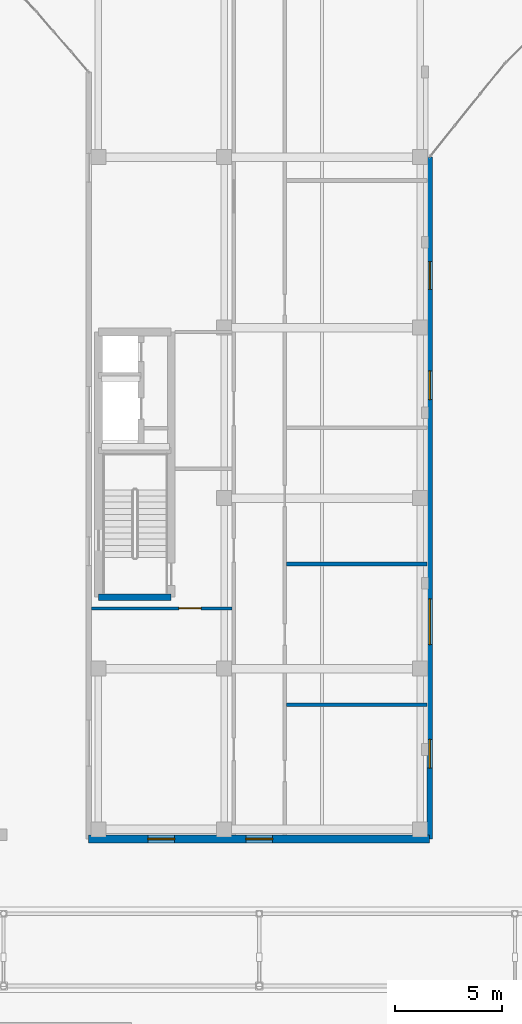
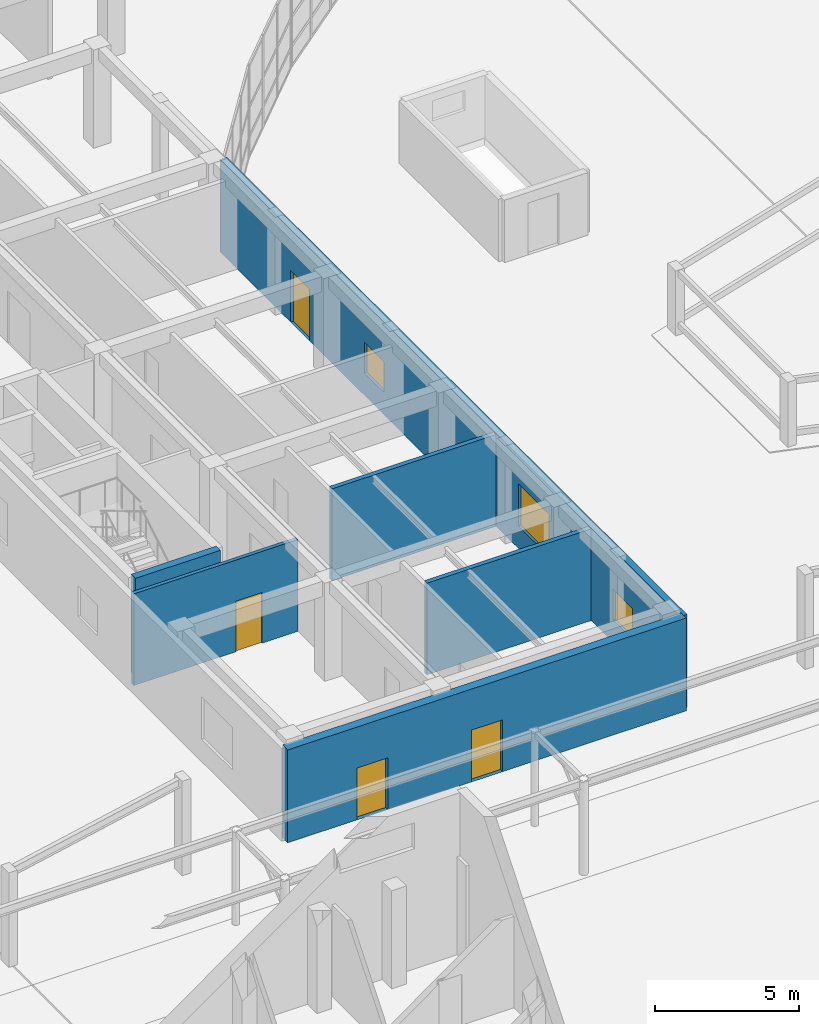
# One storey, part 78 of 114: 6 walls, 4 doors, 3 windows, 7 openings.
"""IFC4 building model written with IfcOpenShell, lengths in metres."""

from ifc_helpers import new_model, si_unit, direction, frame, frame_2d, origin, place, context, subcontext, project, spatial, rectangle, extrude, material, layer, layer_set, type_object, element, fill, save


model = new_model("IFC4")

# Units and contexts
model_context = context("Model", 3, precision=1e-05, world=origin(), true_north=direction((0.0, 1.0)))
body_context = subcontext(model_context, "Body", "Model", "MODEL_VIEW")
ifc_project = project(units=[si_unit("LENGTHUNIT", "METRE"), si_unit("AREAUNIT", "SQUARE_METRE"), si_unit("VOLUMEUNIT", "CUBIC_METRE"), si_unit("PLANEANGLEUNIT", "RADIAN"), si_unit("MASSUNIT", "GRAM", prefix="KILO")], contexts=[model_context])

# Site, building, storey
site_placement = place(None, origin())
site = spatial("IfcSite", under=ifc_project, at=site_placement, CompositionType="ELEMENT")
building_placement = place(site_placement, origin())
building = spatial("IfcBuilding", under=site, at=building_placement, Name="Keldmere Railside Commons", CompositionType="ELEMENT")
storey_placement = place(building_placement, origin())
storey = spatial("IfcBuildingStorey", under=building, at=storey_placement, Name="L00", CompositionType="ELEMENT", Elevation=0.0)

# Walls
ifc_material_1 = material(Name="Acoustic Gypsum Board Partition", Category="gypsum")
ifc_layer_1 = layer(ifc_material_1, 0.179931640625, Name="Acoustic Demising Partition 180")
ifc_layer_set_1 = layer_set([ifc_layer_1], Name="Acoustic Gypsum Board Partition")
wall_type_1 = type_object("IfcWallType", Name="Acoustic Demising Partition 180", PredefinedType="PARTITIONING", material=ifc_layer_set_1)
for number, where, z_axis, x_axis, name in (
    (1, (113.280029296875, 62.300048828125, 0.0), (0.0, 0.0, 1.0), (1.0, 0.0, 0.0), "IW-1 IW-L00-0909"),
    (2, (113.280029296875, 68.89990234375, 0.0), (0.0, 0.0, 1.0), (1.0, 0.0, 0.0), "IW-1 IW-L00-0910"),
):
    element("IfcWall", number, at=place(storey_placement, frame(where, z_axis=z_axis, x_axis=x_axis)), inside=storey, type_object=wall_type_1, Name=name, PredefinedType="PARTITIONING", context=body_context, shape_type="SweptSolid", body=[
        extrude(rectangle(XDim=6.590087890625, YDim=0.179931640625, at=frame_2d((3.294921875, 0.0))), origin(), (0.0, 0.0, 1.0), 3.89501953125),
    ])

# Wall, openings, doors
ifc_material_2 = material(Name="Concrete H-35 (C35/45)", Category="concrete")
ifc_layer_2 = layer(ifc_material_2, 0.360107421875, Name="Exterior Shear Wall 360")
ifc_layer_set_2 = layer_set([ifc_layer_2], Name="Concrete H-35 (C35/45)")
wall_type_2 = type_object("IfcWallType", Name="Exterior Shear Wall 360", PredefinedType="SHEAR", material=ifc_layer_set_2)
wall_1_placement = place(storey_placement, frame((120.0, 56.0, 0.0), z_axis=(0.0, 0.0, 1.0), x_axis=(-1.0, 0.0, 0.0)))
wall_1 = element("IfcWall", 3, at=wall_1_placement, inside=storey, type_object=wall_type_2, Name="ESW-1 EXTB-L00-0576", PredefinedType="SHEAR", context=body_context, shape_type="SweptSolid", body=[
    extrude(rectangle(XDim=16.0, YDim=0.360107421875, at=frame_2d((8.0, 0.0))), origin(), (0.0, 0.0, 1.0), 3.93994140625),
])
opening_1_placement = place(wall_1_placement, frame((7.375, 0.0, 0.0)))
opening_1 = element("IfcOpeningElement", 4, at=opening_1_placement, cuts=wall_1, Name="Opening ED-02", PredefinedType="OPENING", context=body_context, shape_type="SweptSolid", body=[
    extrude(rectangle(XDim=1.25, YDim=2.199951171875, at=frame_2d((0.625, 1.10009765625))), frame((0.0, 0.18994140625, 0.0), z_axis=(0.0, -1.0, 0.0), x_axis=(1.0, 0.0, 0.0)), (0.0, 0.0, 1.0), 0.380126953125),
])
opening_2_placement = place(wall_1_placement, frame((11.97509765625, 0.0, 0.0)))
opening_2 = element("IfcOpeningElement", 5, at=opening_2_placement, cuts=wall_1, Name="Opening ED-02", PredefinedType="OPENING", context=body_context, shape_type="SweptSolid", body=[
    extrude(rectangle(XDim=1.25, YDim=2.199951171875, at=frame_2d((0.625, 1.10009765625))), frame((0.0, 0.18994140625, 0.0), z_axis=(0.0, -1.0, 0.0), x_axis=(1.0, 0.0, 0.0)), (0.0, 0.0, 1.0), 0.380126953125),
])
ifc_material_3 = material(Name="Steel F-24 (S235)", Category="steel")
door_type_1 = type_object("IfcDoorType", Name="Stair Final Escape Exit Door 1250x2200", OperationType="NOTDEFINED", PredefinedType="DOOR", material=ifc_material_3)
door_1_placement = place(opening_1_placement, origin())
door_1 = element("IfcDoor", 6, at=door_1_placement, inside=storey, type_object=door_type_1, Name="ED-02 DR-L00-0123", OperationType="SINGLE_SWING_LEFT", OverallHeight=2.199951171875, OverallWidth=1.25, PredefinedType="DOOR", context=body_context, shape_type="SweptSolid", body=[
    extrude(rectangle(XDim=1.25, YDim=2.199951171875, at=frame_2d((0.625, 1.10009765625))), frame((0.0, 0.02490234375, 0.0), z_axis=(0.0, -1.0, 0.0), x_axis=(1.0, 0.0, 0.0)), (0.0, 0.0, 1.0), 0.050048828125),
])
fill(opening_1, door_1)
door_2_placement = place(opening_2_placement, origin())
door_2 = element("IfcDoor", 7, at=door_2_placement, inside=storey, type_object=door_type_1, Name="ED-02 DR-L00-0124", OperationType="SINGLE_SWING_RIGHT", OverallHeight=2.199951171875, OverallWidth=1.25, PredefinedType="DOOR", context=body_context, shape_type="SweptSolid", body=[
    extrude(rectangle(XDim=1.25, YDim=2.199951171875, at=frame_2d((0.625, 1.10009765625))), frame((0.0, 0.02490234375, 0.0), z_axis=(0.0, -1.0, 0.0), x_axis=(1.0, 0.0, 0.0)), (0.0, 0.0, 1.0), 0.050048828125),
])
fill(opening_2, door_2)

# Wall
ifc_layer_3 = layer(ifc_material_2, 0.300048828125, Name="Interior Shear Wall 300")
ifc_layer_set_3 = layer_set([ifc_layer_3], Name="Concrete H-35 (C35/45)")
wall_type_3 = type_object("IfcWallType", Name="Interior Shear Wall 300", PredefinedType="SHEAR", material=ifc_layer_set_3)
wall_2_placement = place(storey_placement, frame((107.8701171875, 67.35009765625, 0.0), z_axis=(0.0, 0.0, 1.0), x_axis=(-1.0, 0.0, 0.0)))
element("IfcWall", 8, at=wall_2_placement, inside=storey, type_object=wall_type_3, Name="ISW-2 COREBS-L00-0435", PredefinedType="SHEAR", context=body_context, shape_type="SweptSolid", body=[
    extrude(rectangle(XDim=3.41015625, YDim=0.300048828125, at=frame_2d((1.705078125, 0.0))), origin(), (0.0, 0.0, 1.0), 4.159912109375),
])

# Wall, opening, door
ifc_layer_4 = layer(ifc_material_1, 0.14990234375, Name="Lobby Rated Partition 150")
ifc_layer_set_4 = layer_set([ifc_layer_4], Name="Acoustic Gypsum Board Partition")
wall_type_4 = type_object("IfcWallType", Name="Lobby Rated Partition 150", PredefinedType="PARTITIONING", material=ifc_layer_set_4)
wall_3_placement = place(storey_placement, frame((104.1298828125, 66.820068359375, 0.0), z_axis=(0.0, 0.0, 1.0), x_axis=(1.0, 0.0, 0.0)))
wall_3 = element("IfcWall", 9, at=wall_3_placement, inside=storey, type_object=wall_type_4, Name="IW-3 IW-L00-0897", PredefinedType="PARTITIONING", context=body_context, shape_type="SweptSolid", body=[
    extrude(rectangle(XDim=6.590087890625, YDim=0.14990234375, at=frame_2d((3.294921875, 0.0))), origin(), (0.0, 0.0, 1.0), 3.89501953125),
])
opening_3_placement = place(wall_3_placement, frame((4.10009765625, 0.0, 0.0)))
opening_3 = element("IfcOpeningElement", 10, at=opening_3_placement, cuts=wall_3, Name="Opening FD-1", PredefinedType="OPENING", context=body_context, shape_type="SweptSolid", body=[
    extrude(rectangle(XDim=1.050048828125, YDim=2.14990234375, at=frame_2d((0.52490234375, 1.074951171875))), frame((0.0, 0.0849609375, 0.0), z_axis=(0.0, -1.0, 0.0), x_axis=(1.0, 0.0, 0.0)), (0.0, 0.0, 1.0), 0.169921875),
])
door_type_2 = type_object("IfcDoorType", Name="Stair Core Fire Door 1050x2150", OperationType="NOTDEFINED", PredefinedType="DOOR", material=ifc_material_3)
door_3_placement = place(opening_3_placement, origin())
door_3 = element("IfcDoor", 11, at=door_3_placement, inside=storey, type_object=door_type_2, Name="FD-1 IDR-L00-0782", OperationType="SINGLE_SWING_RIGHT", OverallHeight=2.14990234375, OverallWidth=1.050048828125, PredefinedType="DOOR", context=body_context, shape_type="SweptSolid", body=[
    extrude(rectangle(XDim=1.050048828125, YDim=2.14990234375, at=frame_2d((0.52490234375, 1.074951171875))), frame((0.0, 0.02490234375, 0.0), z_axis=(0.0, -1.0, 0.0), x_axis=(1.0, 0.0, 0.0)), (0.0, 0.0, 1.0), 0.050048828125),
])
fill(opening_3, door_3)

# Wall, openings, windows, door
ifc_material_4 = material(Name="Terracotta Brick Masonry", Category="masonry")
ifc_layer_5 = layer(ifc_material_4, 0.260009765625, Name="Terracotta Cavity Wall 260")
ifc_layer_set_5 = layer_set([ifc_layer_5], Name="Terracotta Brick Masonry")
wall_type_5 = type_object("IfcWallType", Name="Terracotta Cavity Wall 260", PredefinedType="SOLIDWALL", material=ifc_layer_set_5)
wall_4_placement = place(storey_placement, frame((120.0, 88.0, 0.0), z_axis=(0.0, 0.0, 1.0), x_axis=(0.0, -1.0, 0.0)))
wall_4 = element("IfcWall", 12, at=wall_4_placement, inside=storey, type_object=wall_type_5, Name="EW-1 EXTB-L00-0577", PredefinedType="SOLIDWALL", context=body_context, shape_type="SweptSolid", body=[
    extrude(rectangle(XDim=32.0, YDim=0.260009765625, at=frame_2d((16.0, 0.0))), origin(), (0.0, 0.0, 1.0), 3.93994140625),
])
opening_4_placement = place(wall_4_placement, frame((4.89990234375, 0.0, 0.0)))
opening_4 = element("IfcOpeningElement", 13, at=opening_4_placement, cuts=wall_4, Name="Opening BD-04", PredefinedType="OPENING", context=body_context, shape_type="SweptSolid", body=[
    extrude(rectangle(XDim=1.300048828125, YDim=2.199951171875, at=frame_2d((0.64990234375, 1.10009765625))), frame((0.0, 0.139892578125, 0.0), z_axis=(0.0, -1.0, 0.0), x_axis=(1.0, 0.0, 0.0)), (0.0, 0.0, 1.0), 0.280029296875),
])
opening_5_placement = place(wall_4_placement, frame((10.02490234375, 0.0, 0.949951171875)))
opening_5 = element("IfcOpeningElement", 14, at=opening_5_placement, cuts=wall_4, Name="Opening WN-25", PredefinedType="OPENING", context=body_context, shape_type="SweptSolid", body=[
    extrude(rectangle(XDim=1.35009765625, YDim=1.300048828125, at=frame_2d((0.675048828125, 0.64990234375))), frame((0.0, 0.139892578125, 0.0), z_axis=(0.0, -1.0, 0.0), x_axis=(1.0, 0.0, 0.0)), (0.0, 0.0, 1.0), 0.280029296875),
])
opening_6_placement = place(wall_4_placement, frame((20.72509765625, 0.0, 0.949951171875)))
opening_6 = element("IfcOpeningElement", 15, at=opening_6_placement, cuts=wall_4, Name="Opening WN-41", PredefinedType="OPENING", context=body_context, shape_type="SweptSolid", body=[
    extrude(rectangle(XDim=2.14990234375, YDim=1.800048828125, at=frame_2d((1.074951171875, 0.89990234375))), frame((0.0, 0.139892578125, 0.0), z_axis=(0.0, -1.0, 0.0), x_axis=(1.0, 0.0, 0.0)), (0.0, 0.0, 1.0), 0.280029296875),
])
opening_7_placement = place(wall_4_placement, frame((27.324951171875, 0.0, 0.949951171875)))
opening_7 = element("IfcOpeningElement", 16, at=opening_7_placement, cuts=wall_4, Name="Opening WN-25", PredefinedType="OPENING", context=body_context, shape_type="SweptSolid", body=[
    extrude(rectangle(XDim=1.35009765625, YDim=1.300048828125, at=frame_2d((0.675048828125, 0.64990234375))), frame((0.0, 0.139892578125, 0.0), z_axis=(0.0, -1.0, 0.0), x_axis=(1.0, 0.0, 0.0)), (0.0, 0.0, 1.0), 0.280029296875),
])
ifc_material_5 = material(Name="Low-E Insulated Double Glazing", Category="glass")
window_type_1 = type_object("IfcWindowType", Name="North Plinth Gallery Window 2150x1800", PartitioningType="SINGLE_PANEL", PredefinedType="WINDOW", material=ifc_material_5)
window_1_placement = place(opening_6_placement, origin())
window_1 = element("IfcWindow", 17, at=window_1_placement, inside=storey, type_object=window_type_1, Name="WN-41 WIN-L00-0350", OverallHeight=1.800048828125, OverallWidth=2.14990234375, PartitioningType="SINGLE_PANEL", PredefinedType="WINDOW", context=body_context, shape_type="SweptSolid", body=[
    extrude(rectangle(XDim=2.14990234375, YDim=1.800048828125, at=frame_2d((1.074951171875, 0.89990234375))), frame((0.0, 0.030029296875, 0.0), z_axis=(0.0, -1.0, 0.0), x_axis=(1.0, 0.0, 0.0)), (0.0, 0.0, 1.0), 0.06005859375),
])
fill(opening_6, window_1)
window_type_2 = type_object("IfcWindowType", Name="Podium Laundry & Mailroom Window 1350x1300", PartitioningType="SINGLE_PANEL", PredefinedType="WINDOW", material=ifc_material_5)
window_2_placement = place(opening_5_placement, origin())
window_2 = element("IfcWindow", 18, at=window_2_placement, inside=storey, type_object=window_type_2, Name="WN-25 WIN-L00-0349", OverallHeight=1.300048828125, OverallWidth=1.35009765625, PartitioningType="SINGLE_PANEL", PredefinedType="WINDOW", context=body_context, shape_type="SweptSolid", body=[
    extrude(rectangle(XDim=1.35009765625, YDim=1.300048828125, at=frame_2d((0.675048828125, 0.64990234375))), frame((0.0, 0.030029296875, 0.0), z_axis=(0.0, -1.0, 0.0), x_axis=(1.0, 0.0, 0.0)), (0.0, 0.0, 1.0), 0.06005859375),
])
fill(opening_5, window_2)
window_3_placement = place(opening_7_placement, origin())
window_3 = element("IfcWindow", 19, at=window_3_placement, inside=storey, type_object=window_type_2, Name="WN-25 WIN-L00-0351", OverallHeight=1.300048828125, OverallWidth=1.35009765625, PartitioningType="SINGLE_PANEL", PredefinedType="WINDOW", context=body_context, shape_type="SweptSolid", body=[
    extrude(rectangle(XDim=1.35009765625, YDim=1.300048828125, at=frame_2d((0.675048828125, 0.64990234375))), frame((0.0, 0.030029296875, 0.0), z_axis=(0.0, -1.0, 0.0), x_axis=(1.0, 0.0, 0.0)), (0.0, 0.0, 1.0), 0.06005859375),
])
fill(opening_7, window_3)
ifc_material_6 = material(Name="Thermally Broken Aluminium", Category="aluminium")
door_type_3 = type_object("IfcDoorType", Name="Shared Court-Deck Access Door 1300x2200", OperationType="NOTDEFINED", PredefinedType="DOOR", material=ifc_material_6)
door_4_placement = place(opening_4_placement, origin())
door_4 = element("IfcDoor", 20, at=door_4_placement, inside=storey, type_object=door_type_3, Name="BD-04 DR-L00-0125", OperationType="SINGLE_SWING_LEFT", OverallHeight=2.199951171875, OverallWidth=1.300048828125, PredefinedType="DOOR", context=body_context, shape_type="SweptSolid", body=[
    extrude(rectangle(XDim=1.300048828125, YDim=2.199951171875, at=frame_2d((0.64990234375, 1.10009765625))), frame((0.0, 0.02490234375, 0.0), z_axis=(0.0, -1.0, 0.0), x_axis=(1.0, 0.0, 0.0)), (0.0, 0.0, 1.0), 0.050048828125),
])
fill(opening_4, door_4)

save(model, "model.ifc")
